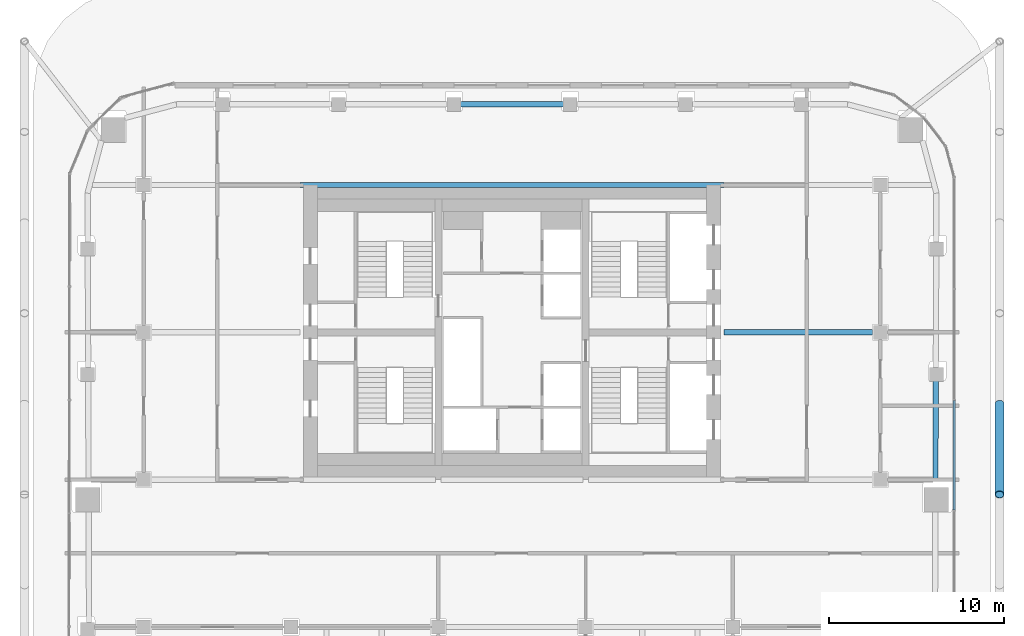
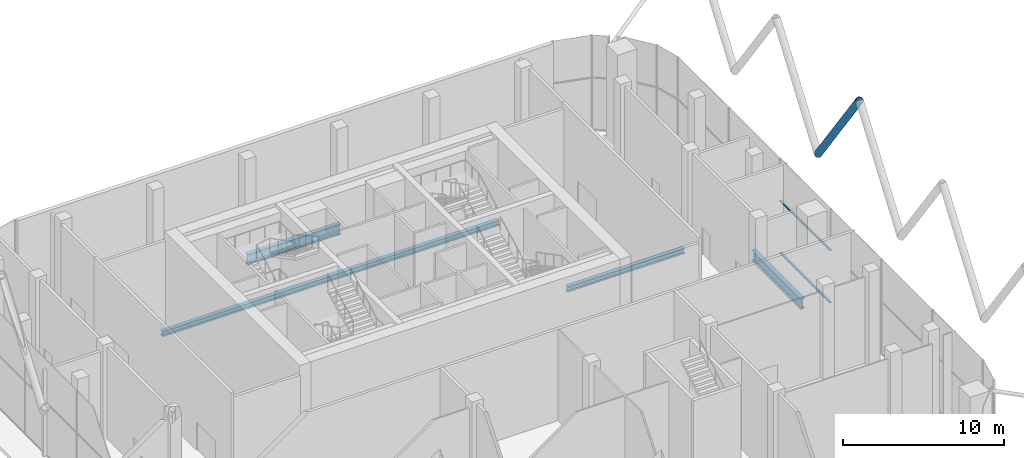
# One storey, part 9 of 25: 4 beams, 3 members, 1 element without a shape of its own.
"""IFC4 building model written with IfcOpenShell, lengths in metres."""

import ifcopenshell
import ifcopenshell.guid

model = None  # the IFC model being written
_history = None  # IfcOwnerHistory: only IFC2X3 demands one
_inside = {}  # id of a spatial element -> (the spatial element, [elements in it])
_under = {}  # id of a project, library or spatial element -> (it, [spatial elements below it])
_declared = {}  # id of a project -> (the project, [libraries it declares])
_typed = {}  # id of a type object -> (the type object, [elements of that type])
_made_of = {}  # id of a material, layer set ... -> (it, [elements and type objects made of it])


def new_model(schema):
    """Start an empty IFC model of exactly this schema.

    Asked for "IFC4X3", IfcOpenShell would pick the latest addendum, in which some entities
    have other attributes; the version numbers below select the first issue.
    IFC2X3 requires an IfcOwnerHistory on every rooted entity: one is made here for all.
    """
    global model, _history
    if schema == "IFC4X3":
        model = ifcopenshell.file(schema_version=(4, 3, 0, 0))
    else:
        model = ifcopenshell.file(schema=schema)
    _inside.clear()
    _under.clear()
    _declared.clear()
    _typed.clear()
    _made_of.clear()
    _history = None
    if model.schema == "IFC2X3":
        org = make("IfcOrganization", Name="unknown")
        user = make(
            "IfcPersonAndOrganization",
            ThePerson=make("IfcPerson", FamilyName="unknown"),
            TheOrganization=org,
        )
        app = make(
            "IfcApplication",
            ApplicationDeveloper=org,
            Version="unknown",
            ApplicationFullName="unknown",
            ApplicationIdentifier="unknown",
        )
        _history = make(
            "IfcOwnerHistory",
            OwningUser=user,
            OwningApplication=app,
            ChangeAction="ADDED",
            CreationDate=0,
        )
    return model


def make(cls, **values):
    """One entity of the class cls with the attributes given. An attribute that is None is left unset."""
    return model.create_entity(
        cls, **{name: value for name, value in values.items() if value is not None}
    )


def rooted(cls, **values):
    """An entity with a GlobalId (a new one), such as an element, a storey or a relation."""
    return make(cls, GlobalId=ifcopenshell.guid.new(), OwnerHistory=_history, **values)


def si_unit(unit_type, name, prefix=None):
    """IfcSIUnit, for example si_unit("LENGTHUNIT", "METRE", prefix="MILLI")."""
    return make("IfcSIUnit", UnitType=unit_type, Prefix=prefix, Name=name)


def assignment(units):
    """IfcUnitAssignment: the units of a project."""
    return None if units is None else make("IfcUnitAssignment", Units=units)


def point(xyz):
    """IfcCartesianPoint."""
    return None if xyz is None else make("IfcCartesianPoint", Coordinates=xyz)


def direction(xyz):
    """IfcDirection."""
    return None if xyz is None else make("IfcDirection", DirectionRatios=xyz)


def frame(location, z_axis=None, x_axis=None):
    """IfcAxis2Placement3D, a coordinate frame: its origin and axes. An axis left out is left unset."""
    return make(
        "IfcAxis2Placement3D",
        Location=point(location),
        Axis=direction(z_axis),
        RefDirection=direction(x_axis),
    )


def frame_2d(location, x_axis=None):
    """IfcAxis2Placement2D, a coordinate frame in the plane: its origin and x axis."""
    return make(
        "IfcAxis2Placement2D", Location=point(location), RefDirection=direction(x_axis)
    )


def origin():
    """The frame at (0, 0, 0) with its axes left unset."""
    return frame((0.0, 0.0, 0.0))


def origin_2d():
    """The frame at (0, 0) in the plane with its x axis left unset."""
    return frame_2d((0.0, 0.0))


def place(relative_to, where):
    """IfcLocalPlacement: puts the frame where relative to a parent placement (None: the world)."""
    return make(
        "IfcLocalPlacement", PlacementRelTo=relative_to, RelativePlacement=where
    )


def context(
    kind, dimensions, precision=None, world=None, true_north=None, identifier=None
):
    """IfcGeometricRepresentationContext, for example the 3D "Model" context."""
    return make(
        "IfcGeometricRepresentationContext",
        ContextIdentifier=identifier,
        ContextType=kind,
        CoordinateSpaceDimension=dimensions,
        Precision=precision,
        WorldCoordinateSystem=world,
        TrueNorth=true_north,
    )


def subcontext(parent, identifier, kind, view, scale=None):
    """IfcGeometricRepresentationSubContext, for example "Body" below "Model"."""
    return make(
        "IfcGeometricRepresentationSubContext",
        ContextIdentifier=identifier,
        ContextType=kind,
        ParentContext=parent,
        TargetScale=scale,
        TargetView=view,
    )


def project(units=None, contexts=None):
    """IfcProject with its units and contexts."""
    return rooted(
        "IfcProject",
        Name="project",
        RepresentationContexts=contexts,
        UnitsInContext=assignment(units),
    )


def spatial(cls, under=None, at=None, **own):
    """A site, building, storey or space (cls), placed at a placement, below another one or the project."""
    s = rooted(cls, ObjectPlacement=at, **own)
    if under is not None:
        _under.setdefault(under.id(), (under, []))[1].append(s)
    return s


def profile(cls, at=None, kind="AREA", **sizes):
    """A parametric profile (cls). Its sizes go by their IFC names, for example OverallWidth=200.0."""
    return make(cls, ProfileType=kind, Position=at, **sizes)


def rectangle(**sizes):
    """IfcRectangleProfileDef."""
    return profile("IfcRectangleProfileDef", **sizes)


def hollow_circle(**sizes):
    """IfcCircleHollowProfileDef."""
    return profile("IfcCircleHollowProfileDef", **sizes)


def i_section(**sizes):
    """IfcIShapeProfileDef."""
    return profile("IfcIShapeProfileDef", **sizes)


def extrude(swept, where, along, depth):
    """IfcExtrudedAreaSolid: the profile swept, set in the frame where, extruded along a direction by depth."""
    return make(
        "IfcExtrudedAreaSolid",
        SweptArea=swept,
        Position=where,
        ExtrudedDirection=direction(along),
        Depth=depth,
    )


def shape(context_of_items, identifier, shape_type, items):
    """IfcShapeRepresentation: the items that make up one representation, for example the "Body"."""
    return make(
        "IfcShapeRepresentation",
        ContextOfItems=context_of_items,
        RepresentationIdentifier=identifier,
        RepresentationType=shape_type,
        Items=items,
    )


def material(Name=None, Category=None):
    """IfcMaterial."""
    return make("IfcMaterial", Name=Name, Category=Category)


def layer(
    of_material, thickness, ventilated=None, Name=None, Category=None, Priority=None
):
    """IfcMaterialLayer: one layer of a wall or slab, of a material (None: an air gap)."""
    return make(
        "IfcMaterialLayer",
        Material=of_material,
        LayerThickness=thickness,
        IsVentilated=ventilated,
        Name=Name,
        Category=Category,
        Priority=Priority,
    )


def layer_set(layers, Name=None):
    """IfcMaterialLayerSet."""
    return make("IfcMaterialLayerSet", MaterialLayers=layers, LayerSetName=Name)


def material_profile(
    of_material, cross_section, Name=None, Category=None, Priority=None
):
    """IfcMaterialProfile: a cross section and its material."""
    return make(
        "IfcMaterialProfile",
        Name=Name,
        Material=of_material,
        Profile=cross_section,
        Priority=Priority,
        Category=Category,
    )


def profile_set(profiles, Name=None, composite=None):
    """IfcMaterialProfileSet."""
    return make(
        "IfcMaterialProfileSet",
        Name=Name,
        MaterialProfiles=profiles,
        CompositeProfile=composite,
    )


def made_of(thing, what):
    """Note that an element or type object is made of a material, layer set ...; save() writes the relation."""
    if what is not None:
        _made_of.setdefault(what.id(), (what, []))[1].append(thing)
    return thing


def type_object(cls, material=None, **own):
    """A type object (cls), such as IfcWallType, which elements share."""
    return made_of(rooted(cls, **own), material)


def element(
    cls,
    number,
    at=None,
    inside=None,
    cuts=None,
    type_object=None,
    material=None,
    context=None,
    identifier="Body",
    shape_type=None,
    held_by="IfcProductDefinitionShape",
    body=None,
    shapes=None,
    **own,
):
    """One element of the class cls, such as IfcWall. Its Tag is "e" and its number.

    at: its placement. inside: the storey or other place that contains it. cuts: it is an
    opening in that element (IfcRelVoidsElement). A single representation is given by context,
    identifier, shape_type and body (its items); several are given by shapes. held_by: the class
    of the entity that holds the representations. save() writes the other relations.
    """
    e = rooted(cls, Tag="e%d" % number, ObjectPlacement=at, **own)
    if body is not None:
        shapes = [shape(context, identifier, shape_type, body)]
    if shapes is not None:
        e.Representation = make(held_by, Representations=shapes)
    if inside is not None:
        _inside.setdefault(inside.id(), (inside, []))[1].append(e)
    if cuts is not None:
        rooted(
            "IfcRelVoidsElement", RelatingBuildingElement=cuts, RelatedOpeningElement=e
        )
    if type_object is not None:
        _typed.setdefault(type_object.id(), (type_object, []))[1].append(e)
    return made_of(e, material)


def aggregate(whole, parts):
    """IfcRelAggregates: a whole, such as a stair, and the parts it consists of."""
    return rooted("IfcRelAggregates", RelatingObject=whole, RelatedObjects=parts)


def save(model, path):
    """Write the relations noted so far, then the file.

    IfcRelAggregates (storeys below a building ...), IfcRelContainedInSpatialStructure (elements
    in a storey), IfcRelDefinesByType, IfcRelAssociatesMaterial and IfcRelDeclares: one each for
    every whole, place, type object, material and project.
    """
    for whole, parts in _under.values():
        aggregate(whole, parts)
    for where, things in _inside.values():
        rooted(
            "IfcRelContainedInSpatialStructure",
            RelatedElements=things,
            RelatingStructure=where,
        )
    for kind, things in _typed.values():
        rooted("IfcRelDefinesByType", RelatedObjects=things, RelatingType=kind)
    for what, things in _made_of.values():
        rooted("IfcRelAssociatesMaterial", RelatedObjects=things, RelatingMaterial=what)
    for by, libraries in _declared.values():
        rooted("IfcRelDeclares", RelatingContext=by, RelatedDefinitions=libraries)
    model.write(path)


model = new_model("IFC4")

# Units and contexts
model_context = context("Model", 3, precision=1e-05, world=origin(), true_north=direction((0.0, 1.0)))
body_context = subcontext(model_context, "Body", "Model", "MODEL_VIEW")
ifc_project = project(units=[si_unit("LENGTHUNIT", "METRE"), si_unit("AREAUNIT", "SQUARE_METRE"), si_unit("VOLUMEUNIT", "CUBIC_METRE"), si_unit("PLANEANGLEUNIT", "RADIAN"), si_unit("MASSUNIT", "GRAM", prefix="KILO")], contexts=[model_context])

# Site, building, storey
site_placement = place(None, origin())
site = spatial("IfcSite", under=ifc_project, at=site_placement, CompositionType="ELEMENT")
building_placement = place(site_placement, origin())
building = spatial("IfcBuilding", under=site, at=building_placement, Name="Marenta Gate Hotel Tower", CompositionType="ELEMENT")
storey_placement = place(building_placement, frame((0.0, 0.0, 180.5)))
storey = spatial("IfcBuildingStorey", under=building, at=storey_placement, Name="L41", CompositionType="ELEMENT", Elevation=180.5)

# Member
ifc_material_1 = material(Name="Steel S355J2W", Category="steel")
ifc_material_profile_1 = material_profile(ifc_material_1, hollow_circle(Radius=0.25390625, WallThickness=0.02490234375, at=origin_2d()), Name="CHS 508x25")
ifc_profile_set_1 = profile_set([ifc_material_profile_1], Name="Steel S355J2W")
member_type_1 = type_object("IfcMemberType", Name="Diagrid diagonal Z3 CHS 508x25", PredefinedType="BRACE", material=ifc_profile_set_1)
member_1_placement = place(storey_placement, frame((27.800048828125, 4.31982421875, 6.739990234375), z_axis=(0.0, -0.583260841117, 0.812284919975), x_axis=(1.0, 0.0, 0.0)))
element("IfcMember", 1, at=member_1_placement, inside=storey, type_object=member_type_1, Name="L41-DG-5", PredefinedType="BRACE", context=body_context, shape_type="SweptSolid", body=[
    extrude(hollow_circle(Radius=0.25390625, WallThickness=0.02490234375, at=origin_2d()), origin(), (0.0, 0.0, 1.0), 8.86376953125),
])

# Beams
ifc_material_2 = material(Name="Steel S355", Category="steel")
ifc_material_profile_2 = material_profile(ifc_material_2, i_section(OverallWidth=0.302978515625, OverallDepth=0.81396484375, WebThickness=0.030029296875, FlangeThickness=0.052001953125, FilletRadius=0.030029296875, at=origin_2d()), Name="HEM 800")
ifc_profile_set_2 = profile_set([ifc_material_profile_2], Name="Steel S355")
beam_type_1 = type_object("IfcBeamType", Name="Edge beam HEM 800", PredefinedType="SPANDREL", material=ifc_profile_set_2)
beam_1_placement = place(storey_placement, frame((-3.34130859375, 21.39990234375, -0.6669921875), z_axis=(1.0, 0.0, 0.0), x_axis=(0.0, 1.0, 0.0)))
element("IfcBeam", 2, at=beam_1_placement, inside=storey, type_object=beam_type_1, Name="L41-EB-15", PredefinedType="SPANDREL", context=body_context, shape_type="SweptSolid", body=[
    extrude(i_section(OverallWidth=0.302978515625, OverallDepth=0.81396484375, WebThickness=0.030029296875, FlangeThickness=0.052001953125, FilletRadius=0.030029296875, at=origin_2d()), origin(), (0.0, 0.0, 1.0), 6.6826171875),
])
beam_2_placement = place(storey_placement, frame((24.165771484375, 6.043212890625, -0.6669921875), z_axis=(-0.003338481455, -0.999994427255, 0.0), x_axis=(0.999994427255, -0.003338481455, 0.0)))
element("IfcBeam", 3, at=beam_2_placement, inside=storey, type_object=beam_type_1, Name="L41-EB-23", PredefinedType="SPANDREL", context=body_context, shape_type="SweptSolid", body=[
    extrude(i_section(OverallWidth=0.302978515625, OverallDepth=0.81396484375, WebThickness=0.030029296875, FlangeThickness=0.052001953125, FilletRadius=0.030029296875, at=origin_2d()), origin(), (0.0, 0.0, 1.0), 6.142822265625),
])
ifc_material_3 = material(Name="Steel S355", Category="steel")
ifc_material_profile_3 = material_profile(ifc_material_3, i_section(OverallWidth=0.300048828125, OverallDepth=0.39990234375, WebThickness=0.013427734375, FlangeThickness=0.02392578125, FilletRadius=0.027099609375, at=origin_2d()), Name="HEB 400")
ifc_profile_set_3 = profile_set([ifc_material_profile_3], Name="Steel S355")
beam_type_2 = type_object("IfcBeamType", Name="Girder HEB 400", PredefinedType="BEAM", material=ifc_profile_set_3)
beam_3_placement = place(storey_placement, frame((12.10009765625, 8.39990234375, -0.4599609375), z_axis=(1.0, 0.0, 0.0), x_axis=(0.0, 1.0, 0.0)))
element("IfcBeam", 4, at=beam_3_placement, inside=storey, type_object=beam_type_2, Name="L41-GD-31", PredefinedType="BEAM", context=body_context, shape_type="SweptSolid", body=[
    extrude(i_section(OverallWidth=0.300048828125, OverallDepth=0.39990234375, WebThickness=0.013427734375, FlangeThickness=0.02392578125, FilletRadius=0.027099609375, at=origin_2d()), origin(), (0.0, 0.0, 1.0), 8.449951171875),
])
beam_4_placement = place(storey_placement, frame((-12.10009765625, 16.800048828125, -0.4599609375), z_axis=(1.0, 0.0, 0.0), x_axis=(0.0, 1.0, 0.0)))
element("IfcBeam", 5, at=beam_4_placement, inside=storey, type_object=beam_type_2, Name="L41-GD-35", PredefinedType="BEAM", context=body_context, shape_type="SweptSolid", body=[
    extrude(i_section(OverallWidth=0.300048828125, OverallDepth=0.39990234375, WebThickness=0.013427734375, FlangeThickness=0.02392578125, FilletRadius=0.027099609375, at=origin_2d()), origin(), (0.0, 0.0, 1.0), 24.2001953125),
])

# Curtain wall, members
ifc_material_4 = material(Name="Tinted insulated glass in bronze anodised frame", Category="glass")
ifc_layer = layer(ifc_material_4, 0.1298828125)
ifc_layer_set = layer_set([ifc_layer], Name="Tinted insulated glass in bronze anodised frame")
curtain_wall_type = type_object("IfcCurtainWallType", Name="Sky lobby glazing CW2", PredefinedType="NOTDEFINED", material=ifc_layer_set)
curtain_wall_placement = place(storey_placement, origin())
curtain_wall = element("IfcCurtainWall", 6, at=curtain_wall_placement, inside=storey, type_object=curtain_wall_type, Name="CW2 run G19", PredefinedType="NOTDEFINED")
ifc_material_5 = material(Name="Bronze anodised aluminium", Category="aluminium")
ifc_material_profile_4 = material_profile(ifc_material_5, rectangle(XDim=0.1298828125, YDim=0.080078125, at=origin_2d()), Name="Transom CW2 80x130 bronze anodised aluminium")
ifc_profile_set_4 = profile_set([ifc_material_profile_4], Name="Bronze anodised aluminium")
member_type_2 = type_object("IfcMemberType", Name="Transom CW2 80x130 bronze anodised aluminium", PredefinedType="USERDEFINED", material=ifc_profile_set_4)
member_2_placement = place(storey_placement, frame((25.218994140625, -1.736083984375, 0.0400390625), z_axis=(0.0, 1.0, 0.0), x_axis=(-1.0, 0.0, 0.0)))
member_2 = element("IfcMember", 7, at=member_2_placement, type_object=member_type_2, Name="CW2 transom 4.1", ObjectType="TRANSOM", PredefinedType="USERDEFINED", context=body_context, shape_type="SweptSolid", body=[
    extrude(rectangle(XDim=0.1298828125, YDim=0.080078125, at=origin_2d()), origin(), (0.0, 0.0, 1.0), 6.242919921875),
])
member_3_placement = place(storey_placement, frame((25.218994140625, -1.736083984375, 4.0), z_axis=(0.0, 1.0, 0.0), x_axis=(-1.0, 0.0, 0.0)))
member_3 = element("IfcMember", 8, at=member_3_placement, type_object=member_type_2, Name="CW2 transom 4.2", ObjectType="TRANSOM", PredefinedType="USERDEFINED", context=body_context, shape_type="SweptSolid", body=[
    extrude(rectangle(XDim=0.1298828125, YDim=0.080078125, at=origin_2d()), origin(), (0.0, 0.0, 1.0), 6.242919921875),
])
aggregate(curtain_wall, [member_2, member_3])

save(model, "model.ifc")
